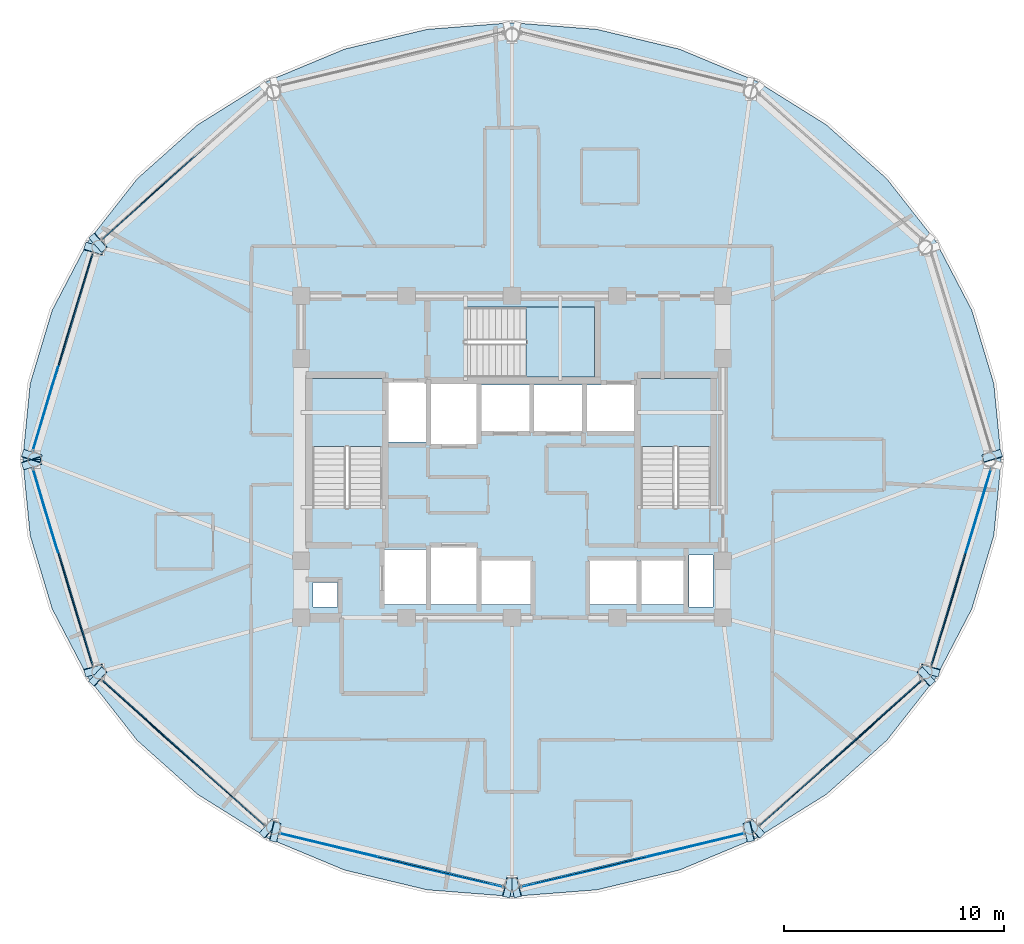
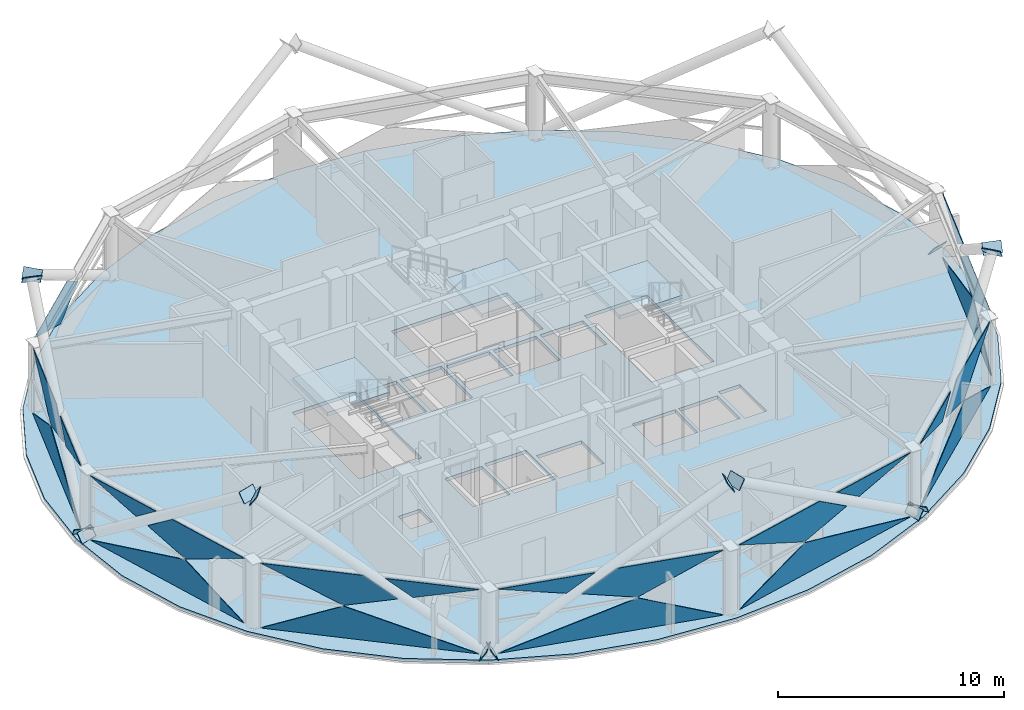
# One storey, part 20 of 28: 37 plates, 4 slabs, 11 elements without a shape of their own.
"""IFC4 building model written with IfcOpenShell, lengths in metres."""

from ifc_helpers import new_model, si_unit, direction, frame, origin, place, context, subcontext, project, spatial, polyline, outline, extrude, material, layer, layer_set, type_object, element, aggregate, save


model = new_model("IFC4")

# Units and contexts
model_context = context("Model", 3, precision=1e-05, world=origin(), true_north=direction((0.0, 1.0)))
body_context = subcontext(model_context, "Body", "Model", "MODEL_VIEW")
ifc_project = project(units=[si_unit("LENGTHUNIT", "METRE"), si_unit("AREAUNIT", "SQUARE_METRE"), si_unit("VOLUMEUNIT", "CUBIC_METRE"), si_unit("PLANEANGLEUNIT", "RADIAN"), si_unit("MASSUNIT", "GRAM", prefix="KILO")], contexts=[model_context])

# Site, building, storey
site_placement = place(None, origin())
site = spatial("IfcSite", under=ifc_project, at=site_placement, CompositionType="ELEMENT")
building_placement = place(site_placement, origin())
building = spatial("IfcBuilding", under=site, at=building_placement, Name="Vantalir Tower", CompositionType="ELEMENT")
storey_placement = place(building_placement, frame((0.0, 0.0, 242.39990234375)))
storey = spatial("IfcBuildingStorey", under=building, at=storey_placement, Name="L61", CompositionType="ELEMENT", Elevation=242.39990234375)

# Curtain wall, plate
ifc_material_1 = material(Name="Champagne-silver PVDF aluminium and double-silver Low-E glass", Category="aluminium")
ifc_layer_1 = layer(ifc_material_1, 0.2099609375)
ifc_layer_set_1 = layer_set([ifc_layer_1], Name="Champagne-silver PVDF aluminium and double-silver Low-E glass")
curtain_wall_type = type_object("IfcCurtainWallType", Name="CW-DIAMOND-Z3", PredefinedType="USERDEFINED", material=ifc_layer_set_1)
curtain_wall_1_placement = place(storey_placement, origin())
curtain_wall_1 = element("IfcCurtainWall", 1, at=curtain_wall_1_placement, inside=storey, type_object=curtain_wall_type, Name="L61 Quilted Pyramid-Diamond Curtain Wall S05", ObjectType="UNITISED CURTAIN WALL", PredefinedType="USERDEFINED")
ifc_material_2 = material(Name="Double-silver Low-E acoustic glass IGU", Category="glass")
ifc_layer_2 = layer(ifc_material_2, 0.031982421875)
ifc_layer_set_2 = layer_set([ifc_layer_2], Name="Double-silver Low-E acoustic glass IGU")
plate_type_1 = type_object("IfcPlateType", Name="CWP-IGU-32", PredefinedType="CURTAIN_PANEL", material=ifc_layer_set_2)
plate_1_placement = place(storey_placement, frame((16.31982421875, 38.140869140625, 3.5234375), z_axis=(-0.665235322889, 0.746510039847, 0.0135913792), x_axis=(-0.7465794727, -0.665296240925, -5.2478898e-05)))
plate_1 = element("IfcPlate", 2, at=plate_1_placement, type_object=plate_type_1, Name="CW-L61-S05 Pyramid Diamond Facet 2U", PredefinedType="CURTAIN_PANEL", context=body_context, shape_type="SweptSolid", body=[
    extrude(outline(polyline([(0.0, 0.0), (4.655335336477255, -2.087089182034596e-18), (0.8961259663694177, -1.7261866362091731), (-1.5543706318987338, -1.0363102727590572), (0.0, 0.0)])), origin(), (0.0, 0.0, -1.0), 0.031982421875),
])
aggregate(curtain_wall_1, [plate_1])

# Curtain wall, plates
curtain_wall_2_placement = place(storey_placement, origin())
curtain_wall_2 = element("IfcCurtainWall", 3, at=curtain_wall_2_placement, inside=storey, type_object=curtain_wall_type, Name="L61 Quilted Pyramid-Diamond Curtain Wall S06", ObjectType="UNITISED CURTAIN WALL", PredefinedType="USERDEFINED")
plate_2_placement = place(storey_placement, frame((12.404541015625, 34.354248046875, 0.047119140625), z_axis=(0.957558411208, -0.287910660697, 0.013760108324), x_axis=(-0.287937576685, -0.957649179632, -2.6131008e-05)))
plate_2 = element("IfcPlate", 4, at=plate_2_placement, type_object=plate_type_1, Name="CW-L61-S06 Pyramid Diamond Facet 1L", PredefinedType="CURTAIN_PANEL", context=body_context, shape_type="SweptSolid", body=[
    extrude(outline(polyline([(0.0, 0.0), (9.34294709931114, -6.451002926288751e-18), (3.5550584518500883, -1.7255980653286305), (0.0, 0.0)])), origin(), (0.0, 0.0, -1.0), 0.031982421875),
])
plate_3_placement = place(storey_placement, frame((12.404541015625, 34.354248046875, 3.523193359375), z_axis=(-0.957555847807, 0.28791614968, 0.013823497544), x_axis=(-0.287943656848, -0.957647351837, 4.22357e-07)))
plate_3 = element("IfcPlate", 5, at=plate_3_placement, type_object=plate_type_1, Name="CW-L61-S06 Pyramid Diamond Facet 2U", PredefinedType="CURTAIN_PANEL", context=body_context, shape_type="SweptSolid", body=[
    extrude(outline(polyline([(0.0, 0.0), (4.388206125820877, 0.0), (5.864567627474159, -1.036966792565529), (3.5551029598515185, -1.7257504795506702), (0.0, 0.0)])), origin(), (0.0, 0.0, -1.0), 0.031982421875),
])
plate_4_placement = place(storey_placement, frame((10.831298828125, 29.246337890625, 3.523681640625), z_axis=(-0.957551688046, 0.287925763323, 0.01391112993), x_axis=(-0.287952812963, -0.957644596799, 6.1058697e-05)))
plate_4 = element("IfcPlate", 6, at=plate_4_placement, type_object=plate_type_1, Name="CW-L61-S06 Pyramid Diamond Facet 2U Infill Light", PredefinedType="CURTAIN_PANEL", context=body_context, shape_type="SweptSolid", body=[
    extrude(outline(polyline([(0.0, 0.0), (3.998457857223988, -4.9060148304969076e-18), (1.1914634044287225, -0.8368236474172214), (0.0, 0.0)])), origin(), (0.0, 0.0, -1.0), 0.031982421875),
])
aggregate(curtain_wall_2, [plate_2, plate_3, plate_4])

curtain_wall_3_placement = place(storey_placement, origin())
curtain_wall_3 = element("IfcCurtainWall", 7, at=curtain_wall_3_placement, inside=storey, type_object=curtain_wall_type, Name="L61 Quilted Pyramid-Diamond Curtain Wall S07", ObjectType="UNITISED CURTAIN WALL", PredefinedType="USERDEFINED")
plate_5_placement = place(storey_placement, frame((9.71435546875, 24.593017578125, 0.046875), z_axis=(0.957566794422, 0.287881760589, 0.013781369324), x_axis=(0.28790875765, -0.957657844214, 2.6128393e-05)))
plate_5 = element("IfcPlate", 8, at=plate_5_placement, type_object=plate_type_1, Name="CW-L61-S07 Pyramid Diamond Facet 1L", PredefinedType="CURTAIN_PANEL", context=body_context, shape_type="SweptSolid", body=[
    extrude(outline(polyline([(0.0, 0.0), (9.343882307819088, -3.2526065174565133e-19), (5.788590764431299, -1.7255985674366), (0.0, 0.0)])), origin(), (0.0, 0.0, -1.0), 0.031982421875),
])
plate_6_placement = place(storey_placement, frame((11.14111328125, 19.84765625, 3.523193359375), z_axis=(-0.957563761012, -0.287888539501, 0.013850358121), x_axis=(0.287916150431, -0.957655621986, -4.69032e-07)))
plate_6 = element("IfcPlate", 9, at=plate_6_placement, type_object=plate_type_1, Name="CW-L61-S07 Pyramid Diamond Facet 2U", PredefinedType="CURTAIN_PANEL", context=body_context, shape_type="SweptSolid", body=[
    extrude(outline(polyline([(0.0, 0.0), (4.388673733145472, 0.0), (0.8333377340184344, -1.7257510820803679), (-1.476361037070433, -1.0369674520236316), (0.0, 0.0)])), origin(), (0.0, 0.0, -1.0), 0.031982421875),
])
plate_7_placement = place(storey_placement, frame((9.679931640625, 24.582763671875, 3.52392578125), z_axis=(-0.95756114198, -0.287891897664, 0.013961182929), x_axis=(0.287919142063, -0.95765472061, -6.1051557e-05)))
plate_7 = element("IfcPlate", 10, at=plate_7_placement, type_object=plate_type_1, Name="CW-L61-S07 Pyramid Diamond Facet 2U Infill Light", PredefinedType="CURTAIN_PANEL", context=body_context, shape_type="SweptSolid", body=[
    extrude(outline(polyline([(0.0, 0.0), (3.998925459596547, 1.4907779871675686e-18), (2.807462459232726, -0.836824222721585), (0.0, 0.0)])), origin(), (0.0, 0.0, -1.0), 0.031982421875),
])
aggregate(curtain_wall_3, [plate_5, plate_6, plate_7])

curtain_wall_4_placement = place(storey_placement, origin())
curtain_wall_4 = element("IfcCurtainWall", 11, at=curtain_wall_4_placement, inside=storey, type_object=curtain_wall_type, Name="L61 Quilted Pyramid-Diamond Curtain Wall S08", ObjectType="UNITISED CURTAIN WALL", PredefinedType="USERDEFINED")
plate_8_placement = place(storey_placement, frame((12.84423828125, 14.955322265625, 0.046875), z_axis=(0.665181228854, 0.746557439473, 0.013635334547), x_axis=(0.746627073708, -0.66524282198, -2.4684335e-05)))
plate_8 = element("IfcPlate", 12, at=plate_8_placement, type_object=plate_type_1, Name="CW-L61-S08 Pyramid Diamond Facet 1L", PredefinedType="CURTAIN_PANEL", context=body_context, shape_type="SweptSolid", body=[
    extrude(outline(polyline([(0.0, 0.0), (9.890508587771347, -1.043544591017298e-17), (3.759093242626655, -1.7260833355593155), (0.0, 0.0)])), origin(), (0.0, 0.0, -1.0), 0.031982421875),
])
plate_9_placement = place(storey_placement, frame((12.84423828125, 14.955322265625, 3.523193359375), z_axis=(-0.665182258311, -0.746556062158, 0.013660500856), x_axis=(0.746626206008, -0.665243794211, 5.2592915e-05)))
plate_9 = element("IfcPlate", 13, at=plate_9_placement, type_object=plate_type_1, Name="CW-L61-S08 Pyramid Diamond Facet 2U", PredefinedType="CURTAIN_PANEL", context=body_context, shape_type="SweptSolid", body=[
    extrude(outline(polyline([(0.0, 0.0), (4.655010499778706, -4.9873299934333204e-18), (6.209380019414062, -1.036311939927298), (3.7590451037732437, -1.7261881685893483), (0.0, 0.0)])), origin(), (0.0, 0.0, -1.0), 0.031982421875),
])
plate_10_placement = place(storey_placement, frame((17.035400390625, 11.172607421875, 3.52392578125), z_axis=(-0.66515091016, -0.746583876508, 0.013666823036), x_axis=(0.746653610511, -0.665213037989, 0.0)))
plate_10 = element("IfcPlate", 14, at=plate_10_placement, type_object=plate_type_1, Name="CW-L61-S08 Pyramid Diamond Facet 2U Infill Light", PredefinedType="CURTAIN_PANEL", context=body_context, shape_type="SweptSolid", body=[
    extrude(outline(polyline([(0.0, 0.0), (4.2448513596282895, 6.938893903907228e-18), (1.2602736283613882, -0.8401663582874247), (0.0, 0.0)])), origin(), (0.0, 0.0, -1.0), 0.031982421875),
])
aggregate(curtain_wall_4, [plate_8, plate_9, plate_10])

curtain_wall_5_placement = place(storey_placement, origin())
curtain_wall_5 = element("IfcCurtainWall", 15, at=curtain_wall_5_placement, inside=storey, type_object=curtain_wall_type, Name="L61 Quilted Pyramid-Diamond Curtain Wall S09", ObjectType="UNITISED CURTAIN WALL", PredefinedType="USERDEFINED")
plate_11_placement = place(storey_placement, frame((20.959228515625, 7.994384765625, 0.046630859375), z_axis=(0.23227086659, 0.972552131401, 0.013877904746), x_axis=(0.972645724011, -0.232293553536, 2.3447416e-05)))
plate_11 = element("IfcPlate", 16, at=plate_11_placement, type_object=plate_type_1, Name="CW-L61-S09 Pyramid Diamond Facet 1L", PredefinedType="CURTAIN_PANEL", context=body_context, shape_type="SweptSolid", body=[
    extrude(outline(polyline([(0.0, 0.0), (10.412261274836561, 3.848917712323541e-18), (6.450611114639487, -1.7263333603476525), (0.0, 0.0)])), origin(), (0.0, 0.0, -1.0), 0.031982421875),
])
plate_12_placement = place(storey_placement, frame((26.312255859375, 6.7158203125, 3.5234375), z_axis=(-0.232279752115, -0.972551025967, 0.013806471207), x_axis=(0.972643573147, -0.232302555274, -4.9281204e-05)))
plate_12 = element("IfcPlate", 17, at=plate_12_placement, type_object=plate_type_1, Name="CW-L61-S09 Pyramid Diamond Facet 2U", PredefinedType="CURTAIN_PANEL", context=body_context, shape_type="SweptSolid", body=[
    extrude(outline(polyline([(0.0, 0.0), (4.908659838593074, -1.0028870095490916e-18), (0.9470544830238101, -1.7261920789018128), (-1.630376010507735, -1.036553863272926), (0.0, 0.0)])), origin(), (0.0, 0.0, -1.0), 0.031982421875),
])
plate_13_placement = place(storey_placement, frame((20.950927734375, 7.959228515625, 3.524169921875), z_axis=(-0.232238884957, -0.972561469462, 0.013758213241), x_axis=(0.972653354205, -0.232261597303, -5.4508706e-05)))
plate_13 = element("IfcPlate", 18, at=plate_13_placement, type_object=plate_type_1, Name="CW-L61-S09 Pyramid Diamond Facet 2U Infill Light", PredefinedType="CURTAIN_PANEL", context=body_context, shape_type="SweptSolid", body=[
    extrude(outline(polyline([(0.0, 0.0), (4.478928997328701, -2.2768245622195593e-18), (3.152174458274375, -0.843658031433572), (0.0, 0.0)])), origin(), (0.0, 0.0, -1.0), 0.031982421875),
])
aggregate(curtain_wall_5, [plate_11, plate_12, plate_13])

curtain_wall_6_placement = place(storey_placement, origin())
curtain_wall_6 = element("IfcCurtainWall", 19, at=curtain_wall_6_placement, inside=storey, type_object=curtain_wall_type, Name="L61 Quilted Pyramid-Diamond Curtain Wall S10", ObjectType="UNITISED CURTAIN WALL", PredefinedType="USERDEFINED")
plate_14_placement = place(storey_placement, frame((31.913330078125, 5.57568359375, 0.046875), z_axis=(-0.23227086659, 0.972552131401, 0.013877904746), x_axis=(0.972645724011, 0.232293553536, -2.3447416e-05)))
plate_14 = element("IfcPlate", 20, at=plate_14_placement, type_object=plate_type_1, Name="CW-L61-S10 Pyramid Diamond Facet 1L", PredefinedType="CURTAIN_PANEL", context=body_context, shape_type="SweptSolid", body=[
    extrude(outline(polyline([(0.0, 0.0), (10.412261274836561, -3.848917712323541e-18), (3.9616501601970775, -1.7263333603476525), (0.0, 0.0)])), origin(), (0.0, 0.0, -1.0), 0.031982421875),
])
plate_15_placement = place(storey_placement, frame((31.913330078125, 5.57568359375, 3.523193359375), z_axis=(0.232279752115, -0.972551025967, 0.013806471207), x_axis=(0.972643573147, 0.232302555274, 4.9281204e-05)))
plate_15 = element("IfcPlate", 21, at=plate_15_placement, type_object=plate_type_1, Name="CW-L61-S10 Pyramid Diamond Facet 2U", PredefinedType="CURTAIN_PANEL", context=body_context, shape_type="SweptSolid", body=[
    extrude(outline(polyline([(0.0, 0.0), (4.908659838593074, 1.0028870095490916e-18), (6.539035849100809, -1.0365538632729259), (3.961605355569264, -1.7261920789018128), (0.0, 0.0)])), origin(), (0.0, 0.0, -1.0), 0.031982421875),
])
plate_16_placement = place(storey_placement, frame((37.692626953125, 6.9189453125, 3.52392578125), z_axis=(0.232238884957, -0.972561469462, 0.013758213241), x_axis=(0.972653354205, 0.232261597303, 5.4508706e-05)))
plate_16 = element("IfcPlate", 22, at=plate_16_placement, type_object=plate_type_1, Name="CW-L61-S10 Pyramid Diamond Facet 2U Infill Light", PredefinedType="CURTAIN_PANEL", context=body_context, shape_type="SweptSolid", body=[
    extrude(outline(polyline([(0.0, 0.0), (4.478928997328701, 2.2768245622195593e-18), (1.3267545390543256, -0.843658031433572), (0.0, 0.0)])), origin(), (0.0, 0.0, -1.0), 0.031982421875),
])
aggregate(curtain_wall_6, [plate_14, plate_15, plate_16])

curtain_wall_7_placement = place(storey_placement, origin())
curtain_wall_7 = element("IfcCurtainWall", 23, at=curtain_wall_7_placement, inside=storey, type_object=curtain_wall_type, Name="L61 Quilted Pyramid-Diamond Curtain Wall S11", ObjectType="UNITISED CURTAIN WALL", PredefinedType="USERDEFINED")
plate_17_placement = place(storey_placement, frame((42.771240234375, 8.375732421875, 0.046630859375), z_axis=(-0.665181228854, 0.746557439473, 0.013635334547), x_axis=(0.746627073708, 0.66524282198, 2.4684335e-05)))
plate_17 = element("IfcPlate", 24, at=plate_17_placement, type_object=plate_type_1, Name="CW-L61-S11 Pyramid Diamond Facet 1L", PredefinedType="CURTAIN_PANEL", context=body_context, shape_type="SweptSolid", body=[
    extrude(outline(polyline([(0.0, 0.0), (9.890508587771347, 1.043544591017298e-17), (6.131415345144693, -1.7260833355593155), (0.0, 0.0)])), origin(), (0.0, 0.0, -1.0), 0.031982421875),
])
plate_18_placement = place(storey_placement, frame((46.68017578125, 11.858642578125, 3.5234375), z_axis=(0.665182258311, -0.746556062158, 0.013660500856), x_axis=(0.746626206008, 0.665243794211, -5.2592915e-05)))
plate_18 = element("IfcPlate", 25, at=plate_18_placement, type_object=plate_type_1, Name="CW-L61-S11 Pyramid Diamond Facet 2U", PredefinedType="CURTAIN_PANEL", context=body_context, shape_type="SweptSolid", body=[
    extrude(outline(polyline([(0.0, 0.0), (4.655010499778706, 4.9873299934333204e-18), (0.8959653960054619, -1.7261881685893483), (-1.5543695196353553, -1.036311939927298), (0.0, 0.0)])), origin(), (0.0, 0.0, -1.0), 0.031982421875),
])
plate_19_placement = place(storey_placement, frame((42.795166015625, 8.348876953125, 3.52392578125), z_axis=(0.66515091016, -0.746583876508, 0.013666823036), x_axis=(0.746653610511, 0.665213037989, 0.0)))
plate_19 = element("IfcPlate", 26, at=plate_19_placement, type_object=plate_type_1, Name="CW-L61-S11 Pyramid Diamond Facet 2U Infill Light", PredefinedType="CURTAIN_PANEL", context=body_context, shape_type="SweptSolid", body=[
    extrude(outline(polyline([(0.0, 0.0), (4.2448513596282895, -6.938893903907228e-18), (2.984577731266901, -0.8401663582874247), (0.0, 0.0)])), origin(), (0.0, 0.0, -1.0), 0.031982421875),
])
aggregate(curtain_wall_7, [plate_17, plate_18, plate_19])

curtain_wall_8_placement = place(storey_placement, origin())
curtain_wall_8 = element("IfcCurtainWall", 27, at=curtain_wall_8_placement, inside=storey, type_object=curtain_wall_type, Name="L61 Quilted Pyramid-Diamond Curtain Wall S12", ObjectType="UNITISED CURTAIN WALL", PredefinedType="USERDEFINED")
plate_20_placement = place(storey_placement, frame((50.595458984375, 15.644775390625, 0.047119140625), z_axis=(-0.957566794422, 0.287881760589, 0.013781369324), x_axis=(0.28790875765, 0.957657844214, -2.6128393e-05)))
plate_20 = element("IfcPlate", 28, at=plate_20_placement, type_object=plate_type_1, Name="CW-L61-S12 Pyramid Diamond Facet 1L", PredefinedType="CURTAIN_PANEL", context=body_context, shape_type="SweptSolid", body=[
    extrude(outline(polyline([(0.0, 0.0), (9.343882307819088, 3.2526065174565133e-19), (3.5552915433877907, -1.7255985674366001), (0.0, 0.0)])), origin(), (0.0, 0.0, -1.0), 0.031982421875),
])
plate_21_placement = place(storey_placement, frame((50.595458984375, 15.644775390625, 3.523193359375), z_axis=(0.957563761012, -0.287888539501, 0.013850358121), x_axis=(0.287916150431, 0.957655621986, 4.69032e-07)))
plate_21 = element("IfcPlate", 29, at=plate_21_placement, type_object=plate_type_1, Name="CW-L61-S12 Pyramid Diamond Facet 2U", PredefinedType="CURTAIN_PANEL", context=body_context, shape_type="SweptSolid", body=[
    extrude(outline(polyline([(0.0, 0.0), (4.388673733145472, 0.0), (5.865034770215905, -1.0369674520236316), (3.5553359991270375, -1.7257510820803679), (0.0, 0.0)])), origin(), (0.0, 0.0, -1.0), 0.031982421875),
])
plate_22_placement = place(storey_placement, frame((52.168701171875, 20.753173828125, 3.523681640625), z_axis=(0.95756114198, -0.287891897664, 0.013961182929), x_axis=(0.287919142063, 0.95765472061, 6.1051557e-05)))
plate_22 = element("IfcPlate", 30, at=plate_22_placement, type_object=plate_type_1, Name="CW-L61-S12 Pyramid Diamond Facet 2U Infill Light", PredefinedType="CURTAIN_PANEL", context=body_context, shape_type="SweptSolid", body=[
    extrude(outline(polyline([(0.0, 0.0), (3.998925459596547, -1.4907779871675686e-18), (1.191463000363821, -0.8368242227215849), (0.0, 0.0)])), origin(), (0.0, 0.0, -1.0), 0.031982421875),
])
aggregate(curtain_wall_8, [plate_20, plate_21, plate_22])

# Plates
ifc_material_3 = material(Name="Steel S460", Category="steel")
ifc_layer_3 = layer(ifc_material_3, 0.035888671875)
ifc_layer_set_3 = layer_set([ifc_layer_3], Name="Steel S460")
plate_type_2 = type_object("IfcPlateType", Name="PLT-KN-Z2", PredefinedType="USERDEFINED", material=ifc_layer_set_3)
plate_23_placement = place(storey_placement, frame((53.7275390625, 25.465087890625, -0.026123046875), z_axis=(-0.23564497448, 0.783553592888, 0.574904525183), x_axis=(-0.957627534861, -0.28800955561, 1.8796288e-05)))
element("IfcPlate", 31, at=plate_23_placement, inside=storey, type_object=plate_type_2, Name="Node Cap Plate MEM-DG-L61-R01L Start", ObjectType="FLANGE_PLATE", PredefinedType="USERDEFINED", context=body_context, shape_type="SweptSolid", body=[
    extrude(outline(polyline([(0.0, 0.0), (0.8798160501778869, 2.7755575615628914e-17), (0.8799150290649385, 0.5800304879689937), (-0.00013481689782652014, 0.580070915880301), (0.0, 0.0)])), origin(), (0.0, 0.0, -1.0), 0.035888671875),
])
plate_24_placement = place(storey_placement, frame((50.048828125, 15.35546875, 6.892333984375), z_axis=(-0.235621882188, -0.783590305696, 0.574863950386), x_axis=(0.957642842649, -0.287958653149, 0.0)))
element("IfcPlate", 32, at=plate_24_placement, inside=storey, type_object=plate_type_2, Name="Node Cap Plate MEM-DG-L61-R01R End", ObjectType="FLANGE_PLATE", PredefinedType="USERDEFINED", context=body_context, shape_type="SweptSolid", body=[
    extrude(outline(polyline([(0.0, 0.0), (0.8800498473614676, -2.7755575615628914e-17), (0.8799775130944816, 0.5800304926170371), (-7.233426698608567e-05, 0.5800304926170371), (0.0, 0.0)])), origin(), (0.0, 0.0, -1.0), 0.035888671875),
])
plate_25_placement = place(storey_placement, frame((12.2333984375, 35.0888671875, 6.892333984375), z_axis=(-0.621276036178, -0.553630596342, 0.5545351654), x_axis=(0.665293215937, -0.746582170178, 0.0)))
element("IfcPlate", 33, at=plate_25_placement, inside=storey, type_object=plate_type_2, Name="Node Cap Plate MEM-DG-L61-R13L End", ObjectType="FLANGE_PLATE", PredefinedType="USERDEFINED", context=body_context, shape_type="SweptSolid", body=[
    extrude(outline(polyline([(0.0, 0.0), (0.8799867558024528, 0.0), (0.8801436267512366, 0.580015678108462), (0.00015687094878367904, 0.580015678108462), (0.0, 0.0)])), origin(), (0.0, 0.0, -1.0), 0.035888671875),
])
plate_26_placement = place(storey_placement, frame((9.2724609375, 24.534912109375, -0.026123046875), z_axis=(0.23564497448, -0.783553592888, 0.574904525183), x_axis=(0.957627534861, 0.28800955561, 1.8796288e-05)))
element("IfcPlate", 34, at=plate_26_placement, inside=storey, type_object=plate_type_2, Name="Node Cap Plate MEM-DG-L61-R19L Start", ObjectType="FLANGE_PLATE", PredefinedType="USERDEFINED", context=body_context, shape_type="SweptSolid", body=[
    extrude(outline(polyline([(0.0, 0.0), (0.8798160501778869, 2.7755575615628914e-17), (0.8799150290649385, 0.5800304879689937), (-0.00013481689782652014, 0.580070915880301), (0.0, 0.0)])), origin(), (0.0, 0.0, -1.0), 0.035888671875),
])
plate_27_placement = place(storey_placement, frame((12.1083984375, 15.10205078125, 6.892333984375), z_axis=(0.235621882188, -0.783590305696, 0.574863950386), x_axis=(0.957642842649, 0.287958653149, 0.0)))
element("IfcPlate", 35, at=plate_27_placement, inside=storey, type_object=plate_type_2, Name="Node Cap Plate MEM-DG-L61-R19L End", ObjectType="FLANGE_PLATE", PredefinedType="USERDEFINED", context=body_context, shape_type="SweptSolid", body=[
    extrude(outline(polyline([(0.0, 0.0), (0.8800498473614676, 2.7755575615628914e-17), (0.8801221816284537, 0.5800304926170371), (7.233426698608567e-05, 0.5800304926170371), (0.0, 0.0)])), origin(), (0.0, 0.0, -1.0), 0.035888671875),
])
plate_28_placement = place(storey_placement, frame((10.114990234375, 25.211669921875, -0.026123046875), z_axis=(0.23564497448, 0.783553592888, 0.574904525183), x_axis=(-0.957627534861, 0.28800955561, -1.8796288e-05)))
element("IfcPlate", 36, at=plate_28_placement, inside=storey, type_object=plate_type_2, Name="Node Cap Plate MEM-DG-L61-R19R Start", ObjectType="FLANGE_PLATE", PredefinedType="USERDEFINED", context=body_context, shape_type="SweptSolid", body=[
    extrude(outline(polyline([(0.0, 0.0), (0.8798160501778869, -2.7755575615628914e-17), (0.8799508670757133, 0.580070915880301), (-9.897888705165117e-05, 0.5800304879689937), (0.0, 0.0)])), origin(), (0.0, 0.0, -1.0), 0.035888671875),
])
plate_29_placement = place(storey_placement, frame((12.951171875, 34.6435546875, 6.892333984375), z_axis=(0.235621882188, 0.783590305696, 0.574863950386), x_axis=(-0.957642842649, 0.287958653149, 0.0)))
element("IfcPlate", 37, at=plate_29_placement, inside=storey, type_object=plate_type_2, Name="Node Cap Plate MEM-DG-L61-R19R End", ObjectType="FLANGE_PLATE", PredefinedType="USERDEFINED", context=body_context, shape_type="SweptSolid", body=[
    extrude(outline(polyline([(0.0, 0.0), (0.8800498473614676, -2.7755575615628914e-17), (0.8799775130944816, 0.5800304926170371), (-7.233426698608567e-05, 0.5800304926170371), (0.0, 0.0)])), origin(), (0.0, 0.0, -1.0), 0.035888671875),
])
plate_30_placement = place(storey_placement, frame((20.7822265625, 7.584228515625, -0.042236328125), z_axis=(0.820862900959, -0.196084620523, 0.536409283498), x_axis=(0.232301556401, 0.972643811044, 6.1078562e-05)))
element("IfcPlate", 38, at=plate_30_placement, inside=storey, type_object=plate_type_2, Name="Node Cap Plate MEM-DG-L61-R25L Start", ObjectType="FLANGE_PLATE", PredefinedType="USERDEFINED", context=body_context, shape_type="SweptSolid", body=[
    extrude(outline(polyline([(0.0, 0.0), (0.8800111338450922, 0.0), (0.8800607925864183, 0.5799438007733532), (-7.0555058421662525e-06, 0.5800711804477545), (0.0, 0.0)])), origin(), (0.0, 0.0, -1.0), 0.035888671875),
])
plate_31_placement = place(storey_placement, frame((31.3916015625, 5.050537109375, 6.892333984375), z_axis=(0.820799205877, -0.195952348922, 0.536555067615), x_axis=(0.232208086854, 0.972666132031, 0.0)))
element("IfcPlate", 39, at=plate_31_placement, inside=storey, type_object=plate_type_2, Name="Node Cap Plate MEM-DG-L61-R25L End", ObjectType="FLANGE_PLATE", PredefinedType="USERDEFINED", context=body_context, shape_type="SweptSolid", body=[
    extrude(outline(polyline([(0.0, 0.0), (0.8800111395499287, 0.0), (0.8800040954538053, 0.5800711891025546), (-7.0440961233847466e-06, 0.5800711891025546), (0.0, 0.0)])), origin(), (0.0, 0.0, -1.0), 0.035888671875),
])
plate_32_placement = place(storey_placement, frame((20.576904296875, 8.65478515625, -0.03466796875), z_axis=(-0.621082817817, 0.553458415877, 0.55492334183), x_axis=(-0.665293215937, -0.746582170178, 0.0)))
element("IfcPlate", 40, at=plate_32_placement, inside=storey, type_object=plate_type_2, Name="Node Cap Plate MEM-DG-L61-R25R Start", ObjectType="FLANGE_PLATE", PredefinedType="USERDEFINED", context=body_context, shape_type="SweptSolid", body=[
    extrude(outline(polyline([(0.0, 0.0), (0.8799867558024528, 0.0), (0.8800121558913103, 0.5799026475163249), (2.5400088857457925e-05, 0.5799026475163249), (0.0, 0.0)])), origin(), (0.0, 0.0, -1.0), 0.035888671875),
])
plate_33_placement = place(storey_placement, frame((12.81884765625, 15.567138671875, 6.892333984375), z_axis=(-0.621276036178, 0.553630596342, 0.5545351654), x_axis=(-0.665293215937, -0.746582170178, 0.0)))
element("IfcPlate", 41, at=plate_33_placement, inside=storey, type_object=plate_type_2, Name="Node Cap Plate MEM-DG-L61-R25R End", ObjectType="FLANGE_PLATE", PredefinedType="USERDEFINED", context=body_context, shape_type="SweptSolid", body=[
    extrude(outline(polyline([(0.0, 0.0), (0.8799867558024528, 0.0), (0.8798298848536692, 0.580015678108462), (-0.00015687094878367904, 0.580015678108462), (0.0, 0.0)])), origin(), (0.0, 0.0, -1.0), 0.035888671875),
])
plate_34_placement = place(storey_placement, frame((43.008544921875, 7.997802734375, -0.03466796875), z_axis=(0.621082817817, 0.553458415877, 0.55492334183), x_axis=(-0.665293215937, 0.746582170178, 0.0)))
element("IfcPlate", 42, at=plate_34_placement, inside=storey, type_object=plate_type_2, Name="Node Cap Plate MEM-DG-L61-R31L Start", ObjectType="FLANGE_PLATE", PredefinedType="USERDEFINED", context=body_context, shape_type="SweptSolid", body=[
    extrude(outline(polyline([(0.0, 0.0), (0.8799867558024528, 0.0), (0.8799613557135955, 0.5799026475163249), (-2.5400088857457925e-05, 0.5799026475163249), (0.0, 0.0)])), origin(), (0.0, 0.0, -1.0), 0.035888671875),
])
plate_35_placement = place(storey_placement, frame((50.7666015625, 14.91015625, 6.892333984375), z_axis=(0.621276036178, 0.553630596342, 0.5545351654), x_axis=(-0.665293215937, 0.746582170178, 0.0)))
element("IfcPlate", 43, at=plate_35_placement, inside=storey, type_object=plate_type_2, Name="Node Cap Plate MEM-DG-L61-R31L End", ObjectType="FLANGE_PLATE", PredefinedType="USERDEFINED", context=body_context, shape_type="SweptSolid", body=[
    extrude(outline(polyline([(0.0, 0.0), (0.8799867558024528, 0.0), (0.8801436267512366, 0.580015678108462), (0.00015687094878367904, 0.580015678108462), (0.0, 0.0)])), origin(), (0.0, 0.0, -1.0), 0.035888671875),
])
plate_36_placement = place(storey_placement, frame((42.013427734375, 8.440185546875, -0.042236328125), z_axis=(-0.820862900959, -0.196084620523, 0.536409283498), x_axis=(0.232301556401, -0.972643811044, -6.1078562e-05)))
element("IfcPlate", 44, at=plate_36_placement, inside=storey, type_object=plate_type_2, Name="Node Cap Plate MEM-DG-L61-R31R Start", ObjectType="FLANGE_PLATE", PredefinedType="USERDEFINED", context=body_context, shape_type="SweptSolid", body=[
    extrude(outline(polyline([(0.0, 0.0), (0.8800111338450922, 0.0), (0.8800181893509343, 0.5800711804477545), (-4.9658741326146714e-05, 0.5799438007733532), (0.0, 0.0)])), origin(), (0.0, 0.0, -1.0), 0.035888671875),
])
plate_37_placement = place(storey_placement, frame((31.404052734375, 5.906494140625, 6.892333984375), z_axis=(-0.820799205877, -0.195952348922, 0.536555067615), x_axis=(0.232208086854, -0.972666132031, 0.0)))
element("IfcPlate", 45, at=plate_37_placement, inside=storey, type_object=plate_type_2, Name="Node Cap Plate MEM-DG-L61-R31R End", ObjectType="FLANGE_PLATE", PredefinedType="USERDEFINED", context=body_context, shape_type="SweptSolid", body=[
    extrude(outline(polyline([(0.0, 0.0), (0.8800111395499287, 0.0), (0.8800181836460521, 0.5800711891025546), (7.0440961233847466e-06, 0.5800711891025546), (0.0, 0.0)])), origin(), (0.0, 0.0, -1.0), 0.035888671875),
])

# Stair, slab
ifc_material_4 = material(Name="Concrete C40/50", Category="concrete")
stair_type = type_object("IfcStairType", Name="STR-CORE-1450", PredefinedType="HALF_TURN_STAIR", material=ifc_material_4)
stair_1_placement = place(storey_placement, origin())
stair_1 = element("IfcStair", 46, at=stair_1_placement, inside=storey, type_object=stair_type, Name="L61 Core Exit Stair 1", PredefinedType="HALF_TURN_STAIR")
ifc_layer_4 = layer(ifc_material_4, 0.199951171875)
ifc_layer_set_4 = layer_set([ifc_layer_4], Name="Concrete C40/50")
slab_type_1 = type_object("IfcSlabType", Name="SL-LAND-200", PredefinedType="LANDING", material=ifc_layer_set_4)
slab_1_placement = place(storey_placement, frame((0.0, 0.0, 1.675048828125)))
slab_1 = element("IfcSlab", 47, at=slab_1_placement, type_object=slab_type_1, Name="ST1 landing 1", PredefinedType="LANDING", context=body_context, shape_type="SweptSolid", body=[
    extrude(outline(polyline([(25.60009765625, 25.590087890625), (25.60009765625, 28.699951171875), (22.39990234375, 28.699951171875), (22.39990234375, 25.590087890625), (25.60009765625, 25.590087890625)])), origin(), (0.0, 0.0, 1.0), 0.199951171875),
])
aggregate(stair_1, [slab_1])

stair_2_placement = place(storey_placement, origin())
stair_2 = element("IfcStair", 48, at=stair_2_placement, inside=storey, type_object=stair_type, Name="L61 Core Exit Stair 2", PredefinedType="HALF_TURN_STAIR")
slab_2_placement = place(storey_placement, frame((0.0, 0.0, 1.675048828125)))
slab_2 = element("IfcSlab", 49, at=slab_2_placement, type_object=slab_type_1, Name="ST2 landing 1", PredefinedType="LANDING", context=body_context, shape_type="SweptSolid", body=[
    extrude(outline(polyline([(40.550048828125, 25.590087890625), (40.550048828125, 28.699951171875), (37.35009765625, 28.699951171875), (37.35009765625, 25.590087890625), (40.550048828125, 25.590087890625)])), origin(), (0.0, 0.0, 1.0), 0.199951171875),
])
aggregate(stair_2, [slab_2])

stair_3_placement = place(storey_placement, origin())
stair_3 = element("IfcStair", 50, at=stair_3_placement, inside=storey, type_object=stair_type, Name="L61 Core Exit Stair 3", PredefinedType="HALF_TURN_STAIR")
slab_3_placement = place(storey_placement, frame((0.0, 0.0, 1.675048828125)))
slab_3 = element("IfcSlab", 51, at=slab_3_placement, type_object=slab_type_1, Name="ST3 landing 1", PredefinedType="LANDING", context=body_context, shape_type="SweptSolid", body=[
    extrude(outline(polyline([(32.139892578125, 28.75), (35.25, 28.75), (35.25, 31.949951171875), (32.139892578125, 31.949951171875), (32.139892578125, 28.75)])), origin(), (0.0, 0.0, 1.0), 0.199951171875),
])
aggregate(stair_3, [slab_3])

# Slab
ifc_layer_5 = layer(ifc_material_4, 0.179931640625)
ifc_layer_set_5 = layer_set([ifc_layer_5], Name="Concrete C40/50")
slab_type_2 = type_object("IfcSlabType", Name="SL-TWR-180", PredefinedType="FLOOR", material=ifc_layer_set_5)
slab_4_placement = place(storey_placement, frame((0.0, 0.0, -0.179931640625)))
element("IfcSlab", 52, at=slab_4_placement, inside=storey, type_object=slab_type_2, Name="L61 Primary Structural Slab", PredefinedType="FLOOR", context=body_context, shape_type="SweptSolid", body=[
    extrude(outline(polyline([(14.44189453125, 12.218994140625), (17.18603515625, 9.76904296875), (20.365966796875, 7.781005859375), (23.884033203125, 6.31591796875), (27.633056640625, 5.4189453125), (31.5, 5.116943359375), (35.366943359375, 5.4189453125), (39.115966796875, 6.31591796875), (42.634033203125, 7.781005859375), (45.81396484375, 9.76904296875), (48.55810546875, 12.218994140625), (50.784912109375, 15.05810546875), (52.425048828125, 18.199951171875), (53.429931640625, 21.547119140625), (53.76806640625, 25.0), (53.429931640625, 28.452880859375), (52.425048828125, 31.800048828125), (50.784912109375, 34.94091796875), (48.55810546875, 37.781005859375), (45.81396484375, 40.23095703125), (42.634033203125, 42.218994140625), (39.115966796875, 43.68408203125), (35.366943359375, 44.5810546875), (31.5, 44.883056640625), (27.633056640625, 44.5810546875), (23.884033203125, 43.68408203125), (20.365966796875, 42.218994140625), (17.18603515625, 40.23095703125), (14.44189453125, 37.781005859375), (12.215087890625, 34.94091796875), (10.574951171875, 31.800048828125), (9.570068359375, 28.452880859375), (9.23193359375, 25.0), (9.570068359375, 21.547119140625), (10.574951171875, 18.199951171875), (12.215087890625, 15.05810546875), (14.44189453125, 12.218994140625)]), holes=[polyline([(22.39990234375, 28.699951171875), (25.60009765625, 28.699951171875), (25.60009765625, 22.7900390625), (22.39990234375, 22.7900390625), (22.39990234375, 28.699951171875)]), polyline([(40.550048828125, 28.699951171875), (40.550048828125, 22.7900390625), (37.35009765625, 22.7900390625), (37.35009765625, 28.699951171875), (40.550048828125, 28.699951171875)]), polyline([(29.340087890625, 28.75), (29.340087890625, 31.949951171875), (35.25, 31.949951171875), (35.25, 28.75), (29.340087890625, 28.75)]), polyline([(25.699951171875, 18.39990234375), (25.699951171875, 20.89990234375), (27.60009765625, 20.89990234375), (27.60009765625, 18.39990234375), (25.699951171875, 18.39990234375)]), polyline([(25.699951171875, 28.5), (27.60009765625, 28.5), (27.60009765625, 25.800048828125), (25.699951171875, 25.800048828125), (25.699951171875, 28.5)]), polyline([(29.89990234375, 21.0), (29.89990234375, 18.39990234375), (27.800048828125, 18.39990234375), (27.800048828125, 21.0), (29.89990234375, 21.0)]), polyline([(29.89990234375, 25.699951171875), (27.800048828125, 25.699951171875), (27.800048828125, 28.5), (29.89990234375, 28.5), (29.89990234375, 25.699951171875)]), polyline([(30.10009765625, 18.39990234375), (30.10009765625, 20.39990234375), (32.39990234375, 20.39990234375), (32.39990234375, 18.39990234375), (30.10009765625, 18.39990234375)]), polyline([(37.35009765625, 20.39990234375), (39.35009765625, 20.39990234375), (39.35009765625, 18.39990234375), (37.35009765625, 18.39990234375), (37.35009765625, 20.39990234375)]), polyline([(37.199951171875, 20.39990234375), (37.199951171875, 18.39990234375), (35.0, 18.39990234375), (35.0, 20.39990234375), (37.199951171875, 20.39990234375)]), polyline([(32.300048828125, 26.300048828125), (30.10009765625, 26.300048828125), (30.10009765625, 28.39990234375), (32.300048828125, 28.39990234375), (32.300048828125, 26.300048828125)]), polyline([(32.5, 26.300048828125), (32.5, 28.39990234375), (34.699951171875, 28.39990234375), (34.699951171875, 26.300048828125), (32.5, 26.300048828125)]), polyline([(34.89990234375, 28.39990234375), (37.10009765625, 28.39990234375), (37.10009765625, 26.300048828125), (34.89990234375, 26.300048828125), (34.89990234375, 28.39990234375)]), polyline([(23.550048828125, 19.39990234375), (23.550048828125, 18.300048828125), (22.449951171875, 18.300048828125), (22.449951171875, 19.39990234375), (23.550048828125, 19.39990234375)]), polyline([(40.64990234375, 18.300048828125), (39.550048828125, 18.300048828125), (39.550048828125, 20.64990234375), (40.64990234375, 20.64990234375), (40.64990234375, 18.300048828125)])]), origin(), (0.0, 0.0, 1.0), 0.179931640625),
])

save(model, "model.ifc")
